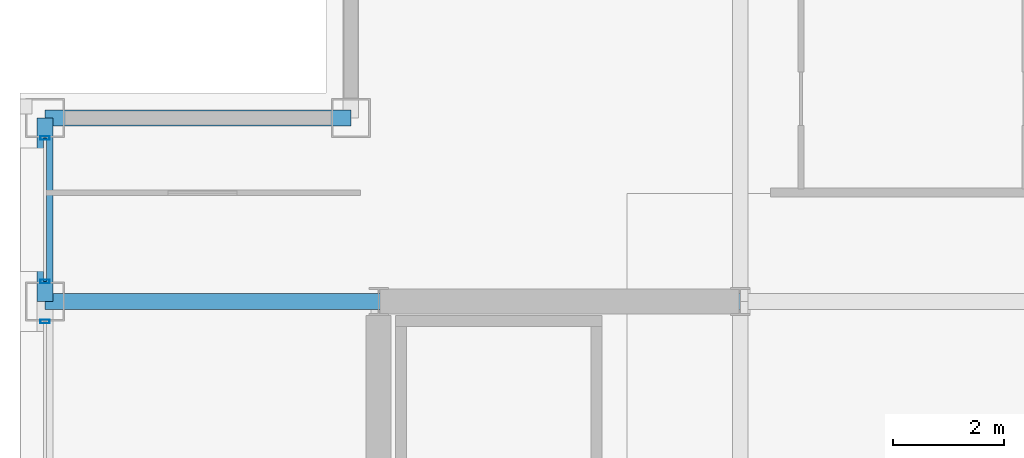
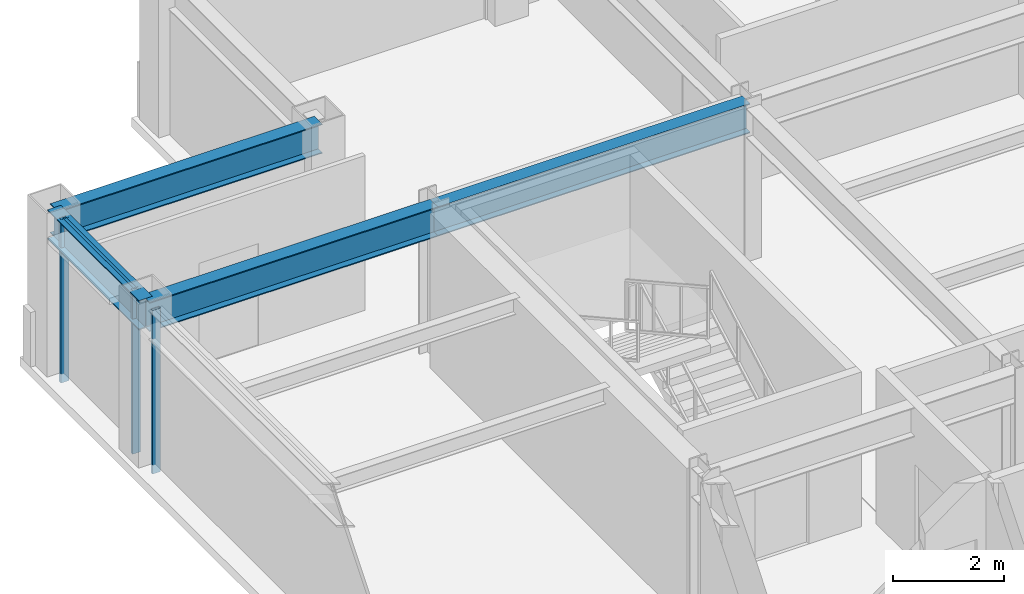
# One storey, part 10 of 29: 4 beams, 4 members, 2 elements without a shape of their own.
"""IFC4 building model written with IfcOpenShell, lengths in metres."""

from ifc_helpers import new_model, si_unit, direction, frame, origin, origin_2d, place, context, subcontext, project, spatial, hollow_rectangle, i_section, extrude, material, layer, layer_set, material_profile, profile_set, type_object, element, aggregate, save


model = new_model("IFC4")

# Units and contexts
model_context = context("Model", 3, precision=1e-05, world=origin(), true_north=direction((0.0, 1.0)))
body_context = subcontext(model_context, "Body", "Model", "MODEL_VIEW")
ifc_project = project(units=[si_unit("LENGTHUNIT", "METRE"), si_unit("AREAUNIT", "SQUARE_METRE"), si_unit("VOLUMEUNIT", "CUBIC_METRE"), si_unit("PLANEANGLEUNIT", "RADIAN"), si_unit("MASSUNIT", "GRAM", prefix="KILO")], contexts=[model_context])

# Site, building, storey
site_placement = place(None, origin())
site = spatial("IfcSite", under=ifc_project, at=site_placement, CompositionType="ELEMENT")
building_placement = place(site_placement, origin())
building = spatial("IfcBuilding", under=site, at=building_placement, Name="Brelmoor Portico Tower", CompositionType="ELEMENT")
storey_placement = place(building_placement, frame((0.0, 0.0, 201.89990234375)))
storey = spatial("IfcBuildingStorey", under=building, at=storey_placement, Name="L53", CompositionType="ELEMENT", Elevation=201.89990234375)

# Beams
ifc_material_1 = material(Name="Steel Q355B", Category="steel")
ifc_material_profile_1 = material_profile(ifc_material_1, i_section(OverallWidth=0.280029296875, OverallDepth=0.64990234375, WebThickness=0.012939453125, FlangeThickness=0.02197265625, at=origin_2d()), Name="HN 650x280x13x22")
ifc_profile_set_1 = profile_set([ifc_material_profile_1], Name="Steel Q355B")
beam_type_1 = type_object("IfcBeamType", Name="BM-PG-650", PredefinedType="BEAM", material=ifc_profile_set_1)
beam_1_placement = place(storey_placement, frame((-20.550048828125, 9.75, 3.0751953125), z_axis=(1.0, 0.0, 0.0), x_axis=(0.0, 1.0, 0.0)))
element("IfcBeam", 1, at=beam_1_placement, inside=storey, type_object=beam_type_1, Name="L53 Primary Floor Girder PG-19", PredefinedType="BEAM", context=body_context, shape_type="SweptSolid", body=[
    extrude(i_section(OverallWidth=0.280029296875, OverallDepth=0.64990234375, WebThickness=0.012939453125, FlangeThickness=0.02197265625, at=origin_2d()), origin(), (0.0, 0.0, 1.0), 6.0),
])
beam_2_placement = place(storey_placement, frame((-14.550048828125, 9.75, 3.0751953125), z_axis=(1.0, 0.0, 0.0), x_axis=(0.0, 1.0, 0.0)))
element("IfcBeam", 2, at=beam_2_placement, inside=storey, type_object=beam_type_1, Name="L53 Primary Floor Girder PG-20", PredefinedType="BEAM", context=body_context, shape_type="SweptSolid", body=[
    extrude(i_section(OverallWidth=0.280029296875, OverallDepth=0.64990234375, WebThickness=0.012939453125, FlangeThickness=0.02197265625, at=origin_2d()), origin(), (0.0, 0.0, 1.0), 6.5),
])
ifc_material_profile_2 = material_profile(ifc_material_1, i_section(OverallWidth=0.280029296875, OverallDepth=0.64990234375, WebThickness=0.012939453125, FlangeThickness=0.02197265625, at=origin_2d()), Name="HN 650x280x13x22")
ifc_profile_set_2 = profile_set([ifc_material_profile_2], Name="Steel Q355B")
beam_type_2 = type_object("IfcBeamType", Name="BM-SP-650", PredefinedType="SPANDREL", material=ifc_profile_set_2)
beam_3_placement = place(storey_placement, frame((-20.550048828125, 13.050048828125, 3.0751953125), z_axis=(1.0, 0.0, 0.0), x_axis=(0.0, 1.0, 0.0)))
element("IfcBeam", 3, at=beam_3_placement, inside=storey, type_object=beam_type_2, Name="L53 Perimeter Spandrel Beam SP-06", PredefinedType="SPANDREL", context=body_context, shape_type="SweptSolid", body=[
    extrude(i_section(OverallWidth=0.280029296875, OverallDepth=0.64990234375, WebThickness=0.012939453125, FlangeThickness=0.02197265625, at=origin_2d()), origin(), (0.0, 0.0, 1.0), 5.5),
])
beam_4_placement = place(storey_placement, frame((-20.550048828125, 9.75, 3.0751953125), z_axis=(0.0, 1.0, 0.0), x_axis=(-1.0, 0.0, 0.0)))
element("IfcBeam", 4, at=beam_4_placement, inside=storey, type_object=beam_type_2, Name="L53 Perimeter Spandrel Beam SP-13", PredefinedType="SPANDREL", context=body_context, shape_type="SweptSolid", body=[
    extrude(i_section(OverallWidth=0.280029296875, OverallDepth=0.64990234375, WebThickness=0.012939453125, FlangeThickness=0.02197265625, at=origin_2d()), origin(), (0.0, 0.0, 1.0), 3.300048828125),
])

# Curtain wall, member
ifc_material_2 = material(Name="Anodised Aluminium Alloy 6063-T6", Category="aluminium")
ifc_layer = layer(ifc_material_2, 0.179931640625)
ifc_layer_set = layer_set([ifc_layer], Name="Anodised Aluminium Alloy 6063-T6")
curtain_wall_type = type_object("IfcCurtainWallType", Name="CW-TOWER-Z3-XB", PredefinedType="NOTDEFINED", material=ifc_layer_set)
curtain_wall_1_placement = place(storey_placement, origin())
curtain_wall_1 = element("IfcCurtainWall", 5, at=curtain_wall_1_placement, inside=storey, type_object=curtain_wall_type, Name="L53 Curtain Wall CW-L53-03-2", PredefinedType="NOTDEFINED")
ifc_material_profile_3 = material_profile(ifc_material_2, hollow_rectangle(XDim=0.06494140625, YDim=0.1650390625, WallThickness=0.00390625, at=origin_2d()), Name="ALU MULLION 65x165")
ifc_profile_set_3 = profile_set([ifc_material_profile_3], Name="Anodised Aluminium Alloy 6063-T6")
member_type_1 = type_object("IfcMemberType", Name="MB-CW-MULL-165", PredefinedType="MULLION", material=ifc_profile_set_3)
member_1_placement = place(storey_placement, frame((-20.550048828125, 9.389892578125, -0.199951171875), z_axis=(0.0, 0.0, 1.0), x_axis=(0.0, 1.0, 0.0)))
member_1 = element("IfcMember", 6, at=member_1_placement, type_object=member_type_1, Name="CW-L53-03-2 Mullion 02", PredefinedType="MULLION", context=body_context, shape_type="SweptSolid", body=[
    extrude(hollow_rectangle(XDim=0.06494140625, YDim=0.1650390625, WallThickness=0.00390625, at=origin_2d()), origin(), (0.0, 0.0, 1.0), 3.60009765625),
])
aggregate(curtain_wall_1, [member_1])

# Curtain wall, members
curtain_wall_2_placement = place(storey_placement, origin())
curtain_wall_2 = element("IfcCurtainWall", 7, at=curtain_wall_2_placement, inside=storey, type_object=curtain_wall_type, Name="L53 Curtain Wall CW-L53-03-3", PredefinedType="NOTDEFINED")
member_2_placement = place(storey_placement, frame((-20.550048828125, 10.110107421875, -0.199951171875), z_axis=(0.0, 0.0, 1.0), x_axis=(0.0, 1.0, 0.0)))
member_2 = element("IfcMember", 8, at=member_2_placement, type_object=member_type_1, Name="CW-L53-03-3 Mullion 00", PredefinedType="MULLION", context=body_context, shape_type="SweptSolid", body=[
    extrude(hollow_rectangle(XDim=0.06494140625, YDim=0.1650390625, WallThickness=0.00390625, at=origin_2d()), origin(), (0.0, 0.0, 1.0), 3.60009765625),
])
member_3_placement = place(storey_placement, frame((-20.550048828125, 12.68994140625, -0.199951171875), z_axis=(0.0, 0.0, 1.0), x_axis=(0.0, 1.0, 0.0)))
member_3 = element("IfcMember", 9, at=member_3_placement, type_object=member_type_1, Name="CW-L53-03-3 Mullion 01", PredefinedType="MULLION", context=body_context, shape_type="SweptSolid", body=[
    extrude(hollow_rectangle(XDim=0.06494140625, YDim=0.1650390625, WallThickness=0.00390625, at=origin_2d()), origin(), (0.0, 0.0, 1.0), 3.60009765625),
])
ifc_material_profile_4 = material_profile(ifc_material_2, hollow_rectangle(XDim=0.06005859375, YDim=0.125, WallThickness=0.00341796875, at=origin_2d()), Name="ALU TRANSOM 60x125")
ifc_profile_set_4 = profile_set([ifc_material_profile_4], Name="Anodised Aluminium Alloy 6063-T6")
member_type_2 = type_object("IfcMemberType", Name="MB-CW-TRAN-125", PredefinedType="USERDEFINED", material=ifc_profile_set_4)
member_4_placement = place(storey_placement, frame((-20.550048828125, 10.110107421875, 3.337646484375), z_axis=(0.0, 1.0, 0.0), x_axis=(-1.0, 0.0, 0.0)))
member_4 = element("IfcMember", 10, at=member_4_placement, type_object=member_type_2, Name="CW-L53-03-3 Transom 1-00", ObjectType="TRANSOM", PredefinedType="USERDEFINED", context=body_context, shape_type="SweptSolid", body=[
    extrude(hollow_rectangle(XDim=0.06005859375, YDim=0.125, WallThickness=0.00341796875, at=origin_2d()), origin(), (0.0, 0.0, 1.0), 2.579833984375),
])
aggregate(curtain_wall_2, [member_2, member_3, member_4])

save(model, "model.ifc")
